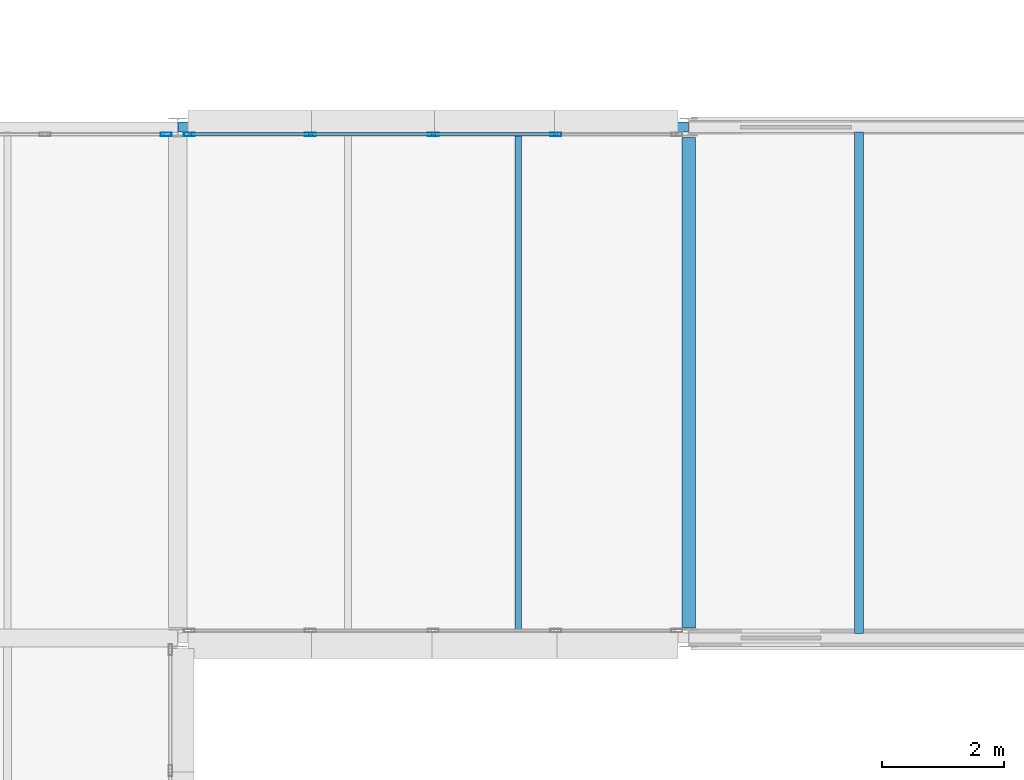
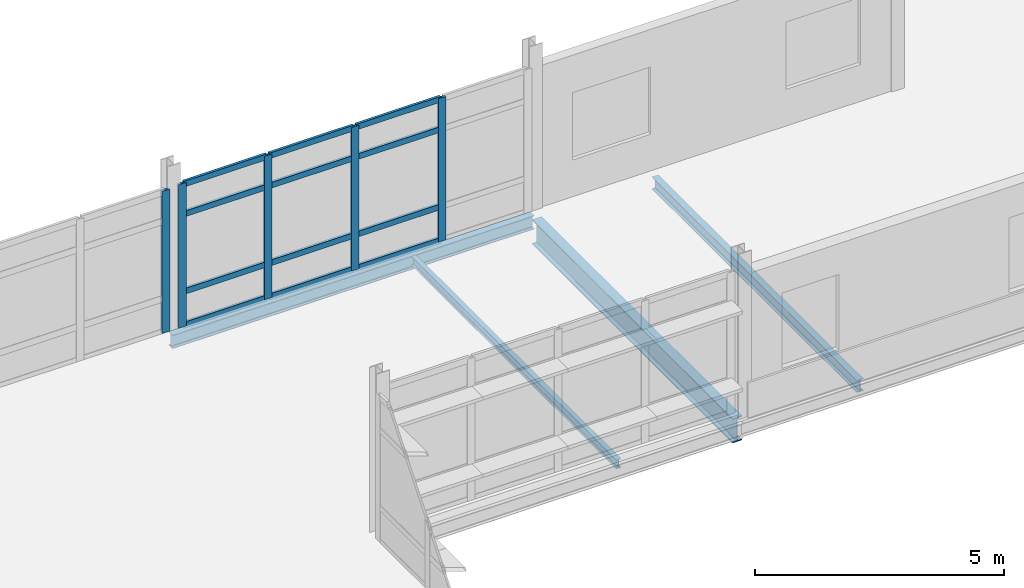
# One storey, part 20 of 103: 17 members, 4 beams, 2 elements without a shape of their own.
"""IFC4 building model written with IfcOpenShell, lengths in metres."""

from ifc_helpers import new_model, si_unit, direction, frame, origin, origin_2d, place, context, subcontext, project, spatial, hollow_rectangle, i_section, extrude, material, material_profile, profile_set, type_object, element, aggregate, save


model = new_model("IFC4")

# Units and contexts
model_context = context("Model", 3, precision=1e-05, world=origin(), true_north=direction((0.0, 1.0)))
body_context = subcontext(model_context, "Body", "Model", "MODEL_VIEW")
ifc_project = project(units=[si_unit("LENGTHUNIT", "METRE"), si_unit("AREAUNIT", "SQUARE_METRE"), si_unit("VOLUMEUNIT", "CUBIC_METRE"), si_unit("PLANEANGLEUNIT", "RADIAN"), si_unit("MASSUNIT", "GRAM", prefix="KILO")], contexts=[model_context])

# Site, building, storey
site_placement = place(None, origin())
site = spatial("IfcSite", under=ifc_project, at=site_placement, CompositionType="ELEMENT")
building_placement = place(site_placement, origin())
building = spatial("IfcBuilding", under=site, at=building_placement, Name="Mersafa Astral City Hall", CompositionType="ELEMENT")
storey_placement = place(building_placement, frame((0.0, 0.0, 18.0)))
storey = spatial("IfcBuildingStorey", under=building, at=storey_placement, Name="L04", CompositionType="ELEMENT", Elevation=18.0)

# Curtain wall, members
ifc_material_1 = material(Name="Anodised bronze aluminium framing", Category="aluminium")
curtain_wall_type_1 = type_object("IfcCurtainWallType", Name="ENV-CW-6", PredefinedType="USERDEFINED", material=ifc_material_1)
curtain_wall_1_placement = place(storey_placement, origin())
curtain_wall_1 = element("IfcCurtainWall", 1, at=curtain_wall_1_placement, inside=storey, type_object=curtain_wall_type_1, Name="L04 Unitised solar curtain wall 197", ObjectType="UNITISED CURTAIN WALL", PredefinedType="USERDEFINED")
ifc_material_profile_1 = material_profile(ifc_material_1, hollow_rectangle(XDim=0.06005859375, YDim=0.179931640625, WallThickness=0.00390625, at=origin_2d()), Name="RHS 60x180x4")
ifc_profile_set_1 = profile_set([ifc_material_profile_1], Name="Anodised bronze aluminium framing")
member_type_1 = type_object("IfcMemberType", Name="ENV-CW-MUL-1", PredefinedType="MULLION", material=ifc_profile_set_1)
member_1_placement = place(storey_placement, frame((31.4189453125, 100.679931640625, -0.001953125), z_axis=(0.0, 0.0, 1.0), x_axis=(0.0, -1.0, 0.0)))
member_1 = element("IfcMember", 2, at=member_1_placement, type_object=member_type_1, Name="CW-6 mullion 2", PredefinedType="MULLION", context=body_context, shape_type="SweptSolid", body=[
    extrude(hollow_rectangle(XDim=0.06005859375, YDim=0.179931640625, WallThickness=0.00390625, at=origin_2d()), origin(), (0.0, 0.0, 1.0), 3.51904296875),
])
member_2_placement = place(storey_placement, frame((29.39990234375, 100.679931640625, -0.001953125), z_axis=(0.0, 0.0, 1.0), x_axis=(0.0, -1.0, 0.0)))
member_2 = element("IfcMember", 3, at=member_2_placement, type_object=member_type_1, Name="CW-6 mullion 3", PredefinedType="MULLION", context=body_context, shape_type="SweptSolid", body=[
    extrude(hollow_rectangle(XDim=0.06005859375, YDim=0.179931640625, WallThickness=0.00390625, at=origin_2d()), origin(), (0.0, 0.0, 1.0), 3.51904296875),
])
member_3_placement = place(storey_placement, frame((27.381103515625, 100.679931640625, -0.001953125), z_axis=(0.0, 0.0, 1.0), x_axis=(0.0, -1.0, 0.0)))
member_3 = element("IfcMember", 4, at=member_3_placement, type_object=member_type_1, Name="CW-6 mullion 4", PredefinedType="MULLION", context=body_context, shape_type="SweptSolid", body=[
    extrude(hollow_rectangle(XDim=0.06005859375, YDim=0.179931640625, WallThickness=0.00390625, at=origin_2d()), origin(), (0.0, 0.0, 1.0), 3.51904296875),
])
member_4_placement = place(storey_placement, frame((25.39208984375, 100.679931640625, -0.001953125), z_axis=(0.0, 0.0, 1.0), x_axis=(0.0, -1.0, 0.0)))
member_4 = element("IfcMember", 5, at=member_4_placement, type_object=member_type_1, Name="CW-6 mullion 5", PredefinedType="MULLION", context=body_context, shape_type="SweptSolid", body=[
    extrude(hollow_rectangle(XDim=0.06005859375, YDim=0.179931640625, WallThickness=0.00390625, at=origin_2d()), origin(), (0.0, 0.0, 1.0), 3.51904296875),
])

# Curtain wall, member
curtain_wall_type_2 = type_object("IfcCurtainWallType", Name="ENV-CW-1", PredefinedType="USERDEFINED", material=ifc_material_1)
curtain_wall_2_placement = place(storey_placement, origin())
curtain_wall_2 = element("IfcCurtainWall", 6, at=curtain_wall_2_placement, inside=storey, type_object=curtain_wall_type_2, Name="L04 Unitised solar curtain wall 198", ObjectType="UNITISED CURTAIN WALL", PredefinedType="USERDEFINED")
member_5_placement = place(storey_placement, frame((25.008056640625, 100.679931640625, -0.001953125), z_axis=(0.0, 0.0, 1.0), x_axis=(0.0, -1.0, 0.0)))
member_5 = element("IfcMember", 7, at=member_5_placement, type_object=member_type_1, Name="CW-1 mullion 1", PredefinedType="MULLION", context=body_context, shape_type="SweptSolid", body=[
    extrude(hollow_rectangle(XDim=0.06005859375, YDim=0.179931640625, WallThickness=0.00390625, at=origin_2d()), origin(), (0.0, 0.0, 1.0), 3.489013671875),
])
aggregate(curtain_wall_2, [member_5])

# Member
ifc_material_profile_2 = material_profile(ifc_material_1, hollow_rectangle(XDim=0.06005859375, YDim=0.139892578125, WallThickness=0.00390625, at=origin_2d()), Name="RHS 60x140x4")
ifc_profile_set_2 = profile_set([ifc_material_profile_2], Name="Anodised bronze aluminium framing")
member_type_2 = type_object("IfcMemberType", Name="ENV-CW-TRN-1", PredefinedType="USERDEFINED", material=ifc_profile_set_2)
member_6_placement = place(storey_placement, frame((31.388916015625, 100.679931640625, 0.028076171875), z_axis=(-1.0, 0.0, 0.0), x_axis=(0.0, -1.0, 0.0)))
member_6 = element("IfcMember", 8, at=member_6_placement, type_object=member_type_2, Name="CW-6 transom 2.1", ObjectType="TRANSOM", PredefinedType="USERDEFINED", context=body_context, shape_type="SweptSolid", body=[
    extrude(hollow_rectangle(XDim=0.06005859375, YDim=0.139892578125, WallThickness=0.00390625, at=origin_2d()), origin(), (0.0, 0.0, 1.0), 1.958984375),
])

member_7_placement = place(storey_placement, frame((31.388916015625, 100.679931640625, 0.85009765625), z_axis=(-1.0, 0.0, 0.0), x_axis=(0.0, -1.0, 0.0)))
member_7 = element("IfcMember", 9, at=member_7_placement, type_object=member_type_2, Name="CW-6 transom 2.2", ObjectType="TRANSOM", PredefinedType="USERDEFINED", context=body_context, shape_type="SweptSolid", body=[
    extrude(hollow_rectangle(XDim=0.06005859375, YDim=0.139892578125, WallThickness=0.00390625, at=origin_2d()), origin(), (0.0, 0.0, 1.0), 1.958984375),
])

member_8_placement = place(storey_placement, frame((31.388916015625, 100.679931640625, 2.75), z_axis=(-1.0, 0.0, 0.0), x_axis=(0.0, -1.0, 0.0)))
member_8 = element("IfcMember", 10, at=member_8_placement, type_object=member_type_2, Name="CW-6 transom 2.3", ObjectType="TRANSOM", PredefinedType="USERDEFINED", context=body_context, shape_type="SweptSolid", body=[
    extrude(hollow_rectangle(XDim=0.06005859375, YDim=0.139892578125, WallThickness=0.00390625, at=origin_2d()), origin(), (0.0, 0.0, 1.0), 1.958984375),
])

member_9_placement = place(storey_placement, frame((31.388916015625, 100.679931640625, 3.487060546875), z_axis=(-1.0, 0.0, 0.0), x_axis=(0.0, -1.0, 0.0)))
member_9 = element("IfcMember", 11, at=member_9_placement, type_object=member_type_2, Name="CW-6 transom 2.4", ObjectType="TRANSOM", PredefinedType="USERDEFINED", context=body_context, shape_type="SweptSolid", body=[
    extrude(hollow_rectangle(XDim=0.06005859375, YDim=0.139892578125, WallThickness=0.00390625, at=origin_2d()), origin(), (0.0, 0.0, 1.0), 1.958984375),
])

member_10_placement = place(storey_placement, frame((29.3701171875, 100.679931640625, 0.028076171875), z_axis=(-1.0, 0.0, 0.0), x_axis=(0.0, -1.0, 0.0)))
member_10 = element("IfcMember", 12, at=member_10_placement, type_object=member_type_2, Name="CW-6 transom 3.1", ObjectType="TRANSOM", PredefinedType="USERDEFINED", context=body_context, shape_type="SweptSolid", body=[
    extrude(hollow_rectangle(XDim=0.06005859375, YDim=0.139892578125, WallThickness=0.00390625, at=origin_2d()), origin(), (0.0, 0.0, 1.0), 1.959228515625),
])

member_11_placement = place(storey_placement, frame((29.3701171875, 100.679931640625, 0.85009765625), z_axis=(-1.0, 0.0, 0.0), x_axis=(0.0, -1.0, 0.0)))
member_11 = element("IfcMember", 13, at=member_11_placement, type_object=member_type_2, Name="CW-6 transom 3.2", ObjectType="TRANSOM", PredefinedType="USERDEFINED", context=body_context, shape_type="SweptSolid", body=[
    extrude(hollow_rectangle(XDim=0.06005859375, YDim=0.139892578125, WallThickness=0.00390625, at=origin_2d()), origin(), (0.0, 0.0, 1.0), 1.959228515625),
])

member_12_placement = place(storey_placement, frame((29.3701171875, 100.679931640625, 2.75), z_axis=(-1.0, 0.0, 0.0), x_axis=(0.0, -1.0, 0.0)))
member_12 = element("IfcMember", 14, at=member_12_placement, type_object=member_type_2, Name="CW-6 transom 3.3", ObjectType="TRANSOM", PredefinedType="USERDEFINED", context=body_context, shape_type="SweptSolid", body=[
    extrude(hollow_rectangle(XDim=0.06005859375, YDim=0.139892578125, WallThickness=0.00390625, at=origin_2d()), origin(), (0.0, 0.0, 1.0), 1.959228515625),
])

member_13_placement = place(storey_placement, frame((29.3701171875, 100.679931640625, 3.487060546875), z_axis=(-1.0, 0.0, 0.0), x_axis=(0.0, -1.0, 0.0)))
member_13 = element("IfcMember", 15, at=member_13_placement, type_object=member_type_2, Name="CW-6 transom 3.4", ObjectType="TRANSOM", PredefinedType="USERDEFINED", context=body_context, shape_type="SweptSolid", body=[
    extrude(hollow_rectangle(XDim=0.06005859375, YDim=0.139892578125, WallThickness=0.00390625, at=origin_2d()), origin(), (0.0, 0.0, 1.0), 1.959228515625),
])

member_14_placement = place(storey_placement, frame((27.35107421875, 100.679931640625, 0.028076171875), z_axis=(-1.0, 0.0, 0.0), x_axis=(0.0, -1.0, 0.0)))
member_14 = element("IfcMember", 16, at=member_14_placement, type_object=member_type_2, Name="CW-6 transom 4.1", ObjectType="TRANSOM", PredefinedType="USERDEFINED", context=body_context, shape_type="SweptSolid", body=[
    extrude(hollow_rectangle(XDim=0.06005859375, YDim=0.139892578125, WallThickness=0.00390625, at=origin_2d()), origin(), (0.0, 0.0, 1.0), 1.928955078125),
])

member_15_placement = place(storey_placement, frame((27.35107421875, 100.679931640625, 0.85009765625), z_axis=(-1.0, 0.0, 0.0), x_axis=(0.0, -1.0, 0.0)))
member_15 = element("IfcMember", 17, at=member_15_placement, type_object=member_type_2, Name="CW-6 transom 4.2", ObjectType="TRANSOM", PredefinedType="USERDEFINED", context=body_context, shape_type="SweptSolid", body=[
    extrude(hollow_rectangle(XDim=0.06005859375, YDim=0.139892578125, WallThickness=0.00390625, at=origin_2d()), origin(), (0.0, 0.0, 1.0), 1.928955078125),
])

member_16_placement = place(storey_placement, frame((27.35107421875, 100.679931640625, 2.75), z_axis=(-1.0, 0.0, 0.0), x_axis=(0.0, -1.0, 0.0)))
member_16 = element("IfcMember", 18, at=member_16_placement, type_object=member_type_2, Name="CW-6 transom 4.3", ObjectType="TRANSOM", PredefinedType="USERDEFINED", context=body_context, shape_type="SweptSolid", body=[
    extrude(hollow_rectangle(XDim=0.06005859375, YDim=0.139892578125, WallThickness=0.00390625, at=origin_2d()), origin(), (0.0, 0.0, 1.0), 1.928955078125),
])

member_17_placement = place(storey_placement, frame((27.35107421875, 100.679931640625, 3.487060546875), z_axis=(-1.0, 0.0, 0.0), x_axis=(0.0, -1.0, 0.0)))
member_17 = element("IfcMember", 19, at=member_17_placement, type_object=member_type_2, Name="CW-6 transom 4.4", ObjectType="TRANSOM", PredefinedType="USERDEFINED", context=body_context, shape_type="SweptSolid", body=[
    extrude(hollow_rectangle(XDim=0.06005859375, YDim=0.139892578125, WallThickness=0.00390625, at=origin_2d()), origin(), (0.0, 0.0, 1.0), 1.928955078125),
])

aggregate(curtain_wall_1, [member_1, member_2, member_3, member_4, member_6, member_7, member_8, member_9, member_10, member_11, member_12, member_13, member_14, member_15, member_16, member_17])

# Beams
ifc_material_2 = material(Name="Steel S355", Category="steel")
ifc_material_profile_3 = material_profile(ifc_material_2, i_section(OverallWidth=0.219970703125, OverallDepth=0.60009765625, WebThickness=0.011962890625, FlangeThickness=0.01904296875, FilletRadius=0.02392578125, at=origin_2d()), Name="IPE 600")
ifc_profile_set_3 = profile_set([ifc_material_profile_3], Name="Steel S355")
beam_type_1 = type_object("IfcBeamType", Name="STR-BM-IPE600", PredefinedType="BEAM", material=ifc_profile_set_3)
beam_1_placement = place(storey_placement, frame((33.60009765625, 92.56494140625, -0.485107421875), z_axis=(0.0, 1.0, 0.0), x_axis=(-1.0, 0.0, 0.0)))
element("IfcBeam", 20, at=beam_1_placement, inside=storey, type_object=beam_type_1, Name="L04 Primary girder Y 4-11", PredefinedType="BEAM", context=body_context, shape_type="SweptSolid", body=[
    extrude(i_section(OverallWidth=0.219970703125, OverallDepth=0.60009765625, WebThickness=0.011962890625, FlangeThickness=0.01904296875, FilletRadius=0.02392578125, at=origin_2d()), origin(), (0.0, 0.0, 1.0), 8.06005859375),
])
ifc_material_profile_4 = material_profile(ifc_material_2, i_section(OverallWidth=0.110107421875, OverallDepth=0.219970703125, WebThickness=0.005859375, FlangeThickness=0.00927734375, FilletRadius=0.011962890625, at=origin_2d()), Name="IPE 220")
ifc_profile_set_4 = profile_set([ifc_material_profile_4], Name="Steel S355")
beam_type_2 = type_object("IfcBeamType", Name="STR-BM-JOIST-IPE220", PredefinedType="JOIST", material=ifc_profile_set_4)
beam_2_placement = place(storey_placement, frame((30.800048828125, 92.47998046875, -0.294921875), z_axis=(0.0, 1.0, 0.0), x_axis=(-1.0, 0.0, 0.0)))
element("IfcBeam", 21, at=beam_2_placement, inside=storey, type_object=beam_type_2, Name="L04 Composite secondary floor joist 691", PredefinedType="JOIST", context=body_context, shape_type="SweptSolid", body=[
    extrude(i_section(OverallWidth=0.110107421875, OverallDepth=0.219970703125, WebThickness=0.005859375, FlangeThickness=0.00927734375, FilletRadius=0.011962890625, at=origin_2d()), origin(), (0.0, 0.0, 1.0), 8.2451171875),
])
ifc_material_profile_5 = material_profile(ifc_material_2, i_section(OverallWidth=0.14990234375, OverallDepth=0.300048828125, WebThickness=0.007080078125, FlangeThickness=0.0107421875, FilletRadius=0.014892578125, at=origin_2d()), Name="IPE 300")
ifc_profile_set_5 = profile_set([ifc_material_profile_5], Name="Steel S355")
beam_type_3 = type_object("IfcBeamType", Name="STR-BM-JOIST-IPE300", PredefinedType="JOIST", material=ifc_profile_set_5)
beam_3_placement = place(storey_placement, frame((36.39990234375, 92.47509765625, -0.3349609375), z_axis=(0.0, 1.0, 0.0), x_axis=(-1.0, 0.0, 0.0)))
element("IfcBeam", 22, at=beam_3_placement, inside=storey, type_object=beam_type_3, Name="L04 Composite secondary floor joist 692", PredefinedType="JOIST", context=body_context, shape_type="SweptSolid", body=[
    extrude(i_section(OverallWidth=0.14990234375, OverallDepth=0.300048828125, WebThickness=0.007080078125, FlangeThickness=0.0107421875, FilletRadius=0.014892578125, at=origin_2d()), origin(), (0.0, 0.0, 1.0), 8.244873046875),
])
ifc_material_profile_6 = material_profile(ifc_material_2, i_section(OverallWidth=0.159912109375, OverallDepth=0.330078125, WebThickness=0.007568359375, FlangeThickness=0.011474609375, FilletRadius=0.01806640625, at=origin_2d()), Name="IPE 330")
ifc_profile_set_6 = profile_set([ifc_material_profile_6], Name="Steel S355")
beam_type_4 = type_object("IfcBeamType", Name="STR-BM-SPANDREL-IPE330", PredefinedType="SPANDREL", material=ifc_profile_set_6)
beam_4_placement = place(storey_placement, frame((25.202880859375, 100.800048828125, -0.35009765625), z_axis=(1.0, 0.0, 0.0), x_axis=(0.0, 1.0, 0.0)))
element("IfcBeam", 23, at=beam_4_placement, inside=storey, type_object=beam_type_4, Name="L04 Primary girder X 3-12", PredefinedType="SPANDREL", context=body_context, shape_type="SweptSolid", body=[
    extrude(i_section(OverallWidth=0.159912109375, OverallDepth=0.330078125, WebThickness=0.007568359375, FlangeThickness=0.011474609375, FilletRadius=0.01806640625, at=origin_2d()), origin(), (0.0, 0.0, 1.0), 8.39404296875),
])

save(model, "model.ifc")
